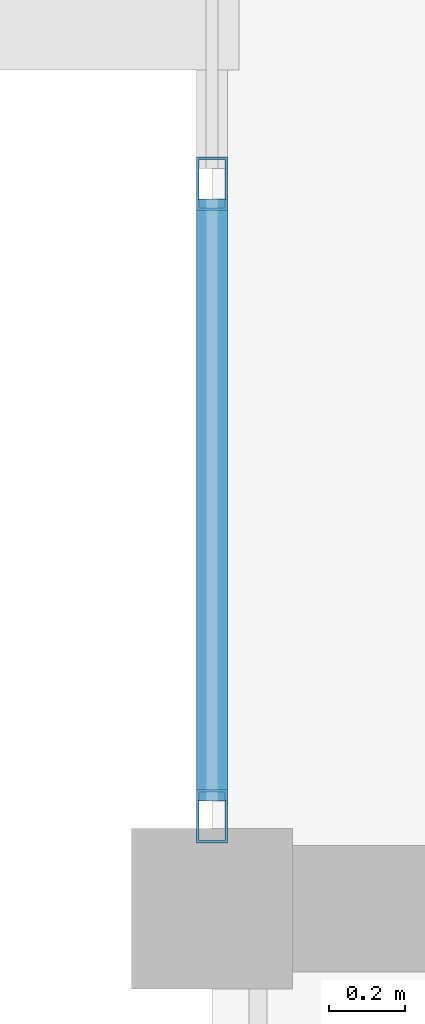
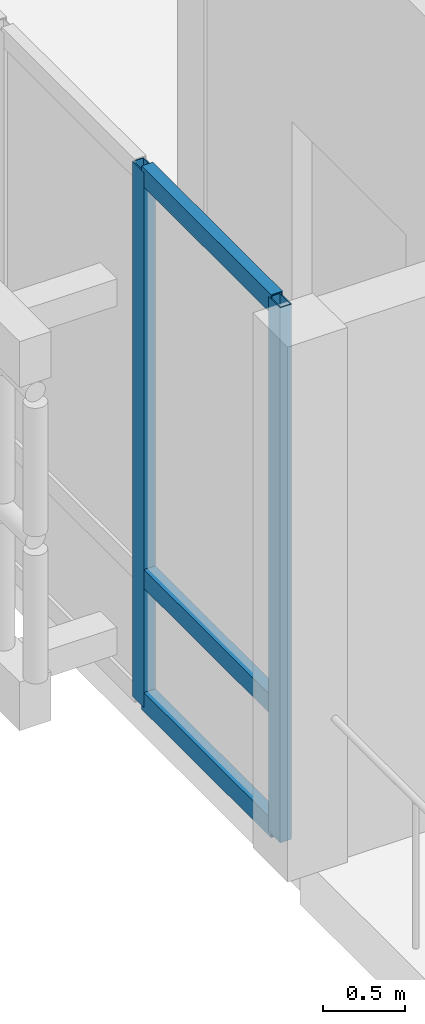
# One storey, part 30 of 61: 5 members, 1 element without a shape of its own.
"""IFC4 building model written with IfcOpenShell, lengths in metres."""

from ifc_helpers import new_model, si_unit, direction, frame, origin, origin_2d, place, context, subcontext, project, spatial, hollow_rectangle, extrude, material, layer, layer_set, material_profile, profile_set, type_object, element, aggregate, save


model = new_model("IFC4")

# Units and contexts
model_context = context("Model", 3, precision=1e-05, world=origin(), true_north=direction((0.0, 1.0)))
body_context = subcontext(model_context, "Body", "Model", "MODEL_VIEW")
ifc_project = project(units=[si_unit("LENGTHUNIT", "METRE"), si_unit("AREAUNIT", "SQUARE_METRE"), si_unit("VOLUMEUNIT", "CUBIC_METRE"), si_unit("PLANEANGLEUNIT", "RADIAN"), si_unit("MASSUNIT", "GRAM", prefix="KILO")], contexts=[model_context])

# Site, building, storey
site_placement = place(None, origin())
site = spatial("IfcSite", under=ifc_project, at=site_placement, CompositionType="ELEMENT")
building_placement = place(site_placement, origin())
building = spatial("IfcBuilding", under=site, at=building_placement, Name="Mazaris Harbour Polytechnic", CompositionType="ELEMENT")
storey_placement = place(building_placement, frame((0.0, 0.0, 18.0)))
storey = spatial("IfcBuildingStorey", under=building, at=storey_placement, Name="L04", CompositionType="ELEMENT", Elevation=18.0)

# Curtain wall, members
ifc_material_1 = material(Name="Anodised Bronze Aluminium and Low-E Glass", Category="aluminium")
ifc_layer = layer(ifc_material_1, 0.169921875, Name="Anodised Bronze Aluminium and Low-E Glass")
ifc_layer_set = layer_set([ifc_layer], Name="Anodised Bronze Aluminium and Low-E Glass")
curtain_wall_type = type_object("IfcCurtainWallType", Name="Studio North-Light Curtain Wall", PredefinedType="NOTDEFINED", material=ifc_layer_set)
curtain_wall_placement = place(storey_placement, origin())
curtain_wall = element("IfcCurtainWall", 1, at=curtain_wall_placement, inside=storey, type_object=curtain_wall_type, Name="V5 L04 Curtain Wall 275", PredefinedType="NOTDEFINED")
ifc_material_2 = material(Name="Anodised Bronze Steel S355", Category="steel")
ifc_material_profile_1 = material_profile(ifc_material_2, hollow_rectangle(XDim=0.080078125, YDim=0.139892578125, WallThickness=0.00634765625, at=origin_2d()), Name="RHS 80x140x6.3")
ifc_profile_set_1 = profile_set([ifc_material_profile_1], Name="Anodised Bronze Steel S355")
member_type_1 = type_object("IfcMemberType", Name="Curtain Mullion RHS80x140", PredefinedType="MULLION", material=ifc_profile_set_1)
member_1_placement = place(storey_placement, frame((122.39990234375, 68.64208984375, 0.0), z_axis=(0.0, 0.0, 1.0), x_axis=(-1.0, 0.0, 0.0)))
member_1 = element("IfcMember", 2, at=member_1_placement, type_object=member_type_1, Name="CW-03 mullion 1", PredefinedType="MULLION", context=body_context, shape_type="SweptSolid", body=[
    extrude(hollow_rectangle(XDim=0.080078125, YDim=0.139892578125, WallThickness=0.00634765625, at=origin_2d()), origin(), (0.0, 0.0, 1.0), 3.9599609375),
])
member_2_placement = place(storey_placement, frame((122.39990234375, 70.2958984375, 0.0), z_axis=(0.0, 0.0, 1.0), x_axis=(-1.0, 0.0, 0.0)))
member_2 = element("IfcMember", 3, at=member_2_placement, type_object=member_type_1, Name="CW-03 mullion 2", PredefinedType="MULLION", context=body_context, shape_type="SweptSolid", body=[
    extrude(hollow_rectangle(XDim=0.080078125, YDim=0.139892578125, WallThickness=0.00634765625, at=origin_2d()), origin(), (0.0, 0.0, 1.0), 3.9599609375),
])
ifc_material_3 = material(Name="Anodised Bronze Steel S355", Category="steel")
ifc_material_profile_2 = material_profile(ifc_material_3, hollow_rectangle(XDim=0.080078125, YDim=0.139892578125, WallThickness=0.00634765625, at=origin_2d()), Name="RHS 80x140x6.3")
ifc_profile_set_2 = profile_set([ifc_material_profile_2], Name="Anodised Bronze Steel S355")
member_type_2 = type_object("IfcMemberType", Name="Curtain Transom RHS80x140", PredefinedType="USERDEFINED", material=ifc_profile_set_2)
member_3_placement = place(storey_placement, frame((122.39990234375, 68.681884765625, 0.0400390625), z_axis=(0.0, 1.0, 0.0), x_axis=(-1.0, 0.0, 0.0)))
member_3 = element("IfcMember", 4, at=member_3_placement, type_object=member_type_2, Name="CW-03 transom 1.1", ObjectType="TRANSOM", PredefinedType="USERDEFINED", context=body_context, shape_type="SweptSolid", body=[
    extrude(hollow_rectangle(XDim=0.080078125, YDim=0.139892578125, WallThickness=0.00634765625, at=origin_2d()), origin(), (0.0, 0.0, 1.0), 1.57421875),
])
member_4_placement = place(storey_placement, frame((122.39990234375, 68.681884765625, 0.949951171875), z_axis=(0.0, 1.0, 0.0), x_axis=(-1.0, 0.0, 0.0)))
member_4 = element("IfcMember", 5, at=member_4_placement, type_object=member_type_2, Name="CW-03 transom 1.2", ObjectType="TRANSOM", PredefinedType="USERDEFINED", context=body_context, shape_type="SweptSolid", body=[
    extrude(hollow_rectangle(XDim=0.080078125, YDim=0.139892578125, WallThickness=0.00634765625, at=origin_2d()), origin(), (0.0, 0.0, 1.0), 1.57421875),
])
member_5_placement = place(storey_placement, frame((122.39990234375, 68.681884765625, 3.919921875), z_axis=(0.0, 1.0, 0.0), x_axis=(-1.0, 0.0, 0.0)))
member_5 = element("IfcMember", 6, at=member_5_placement, type_object=member_type_2, Name="CW-03 transom 1.3", ObjectType="TRANSOM", PredefinedType="USERDEFINED", context=body_context, shape_type="SweptSolid", body=[
    extrude(hollow_rectangle(XDim=0.080078125, YDim=0.139892578125, WallThickness=0.00634765625, at=origin_2d()), origin(), (0.0, 0.0, 1.0), 1.57421875),
])
aggregate(curtain_wall, [member_1, member_2, member_3, member_4, member_5])

save(model, "model.ifc")
